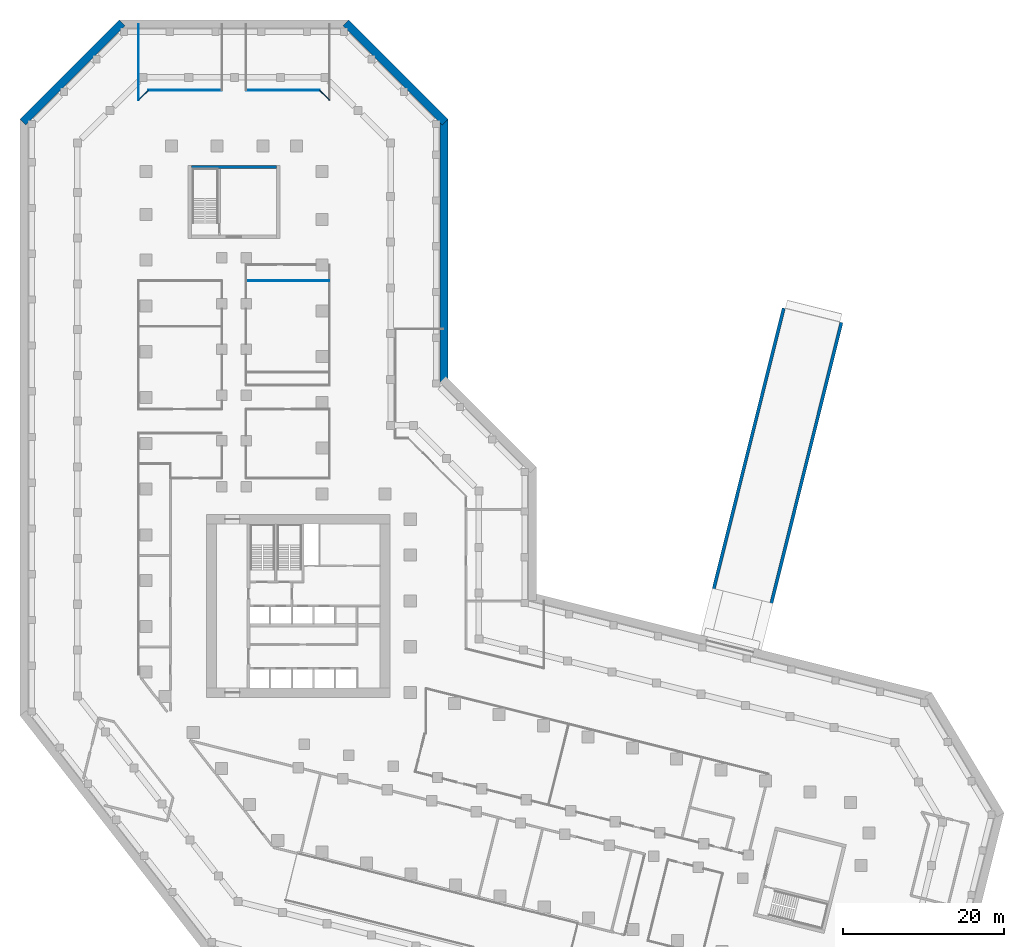
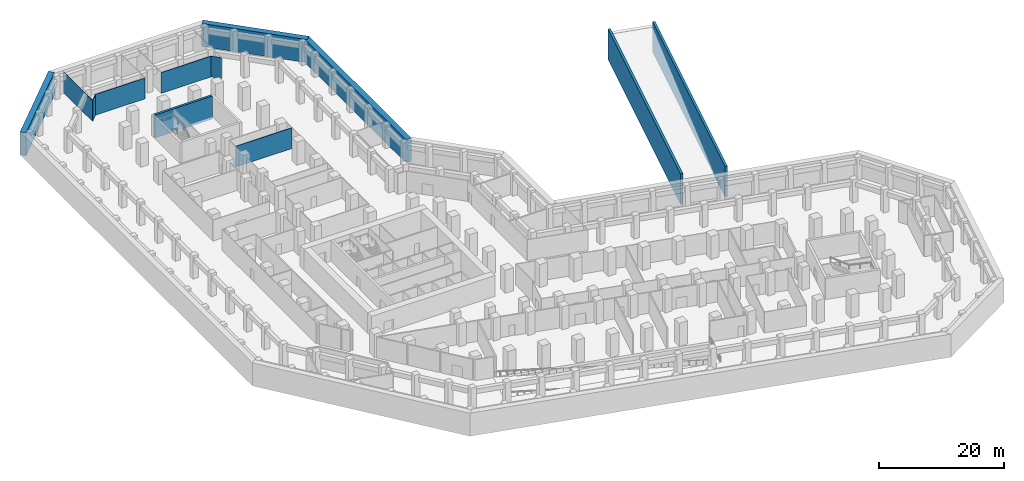
# One storey, part 11 of 14: 12 walls.
"""IFC4 building model written with IfcOpenShell, lengths in metres."""

from ifc_helpers import new_model, si_unit, direction, frame, frame_2d, origin, place, context, subcontext, project, spatial, rectangle, extrude, material, layer, layer_set, type_object, element, save


model = new_model("IFC4")

# Units and contexts
model_context = context("Model", 3, precision=1e-05, world=origin(), true_north=direction((0.0, 1.0)))
body_context = subcontext(model_context, "Body", "Model", "MODEL_VIEW")
ifc_project = project(units=[si_unit("LENGTHUNIT", "METRE"), si_unit("AREAUNIT", "SQUARE_METRE"), si_unit("VOLUMEUNIT", "CUBIC_METRE"), si_unit("PLANEANGLEUNIT", "RADIAN"), si_unit("MASSUNIT", "GRAM", prefix="KILO")], contexts=[model_context])

# Site, building, storey
site_placement = place(None, origin())
site = spatial("IfcSite", under=ifc_project, at=site_placement, CompositionType="ELEMENT")
building_placement = place(site_placement, origin())
building = spatial("IfcBuilding", under=site, at=building_placement, Name="Meshkara Civic Tower", CompositionType="ELEMENT")
storey_placement = place(building_placement, frame((0.0, 0.0, -4.5)))
storey = spatial("IfcBuildingStorey", under=building, at=storey_placement, Name="B1", CompositionType="ELEMENT", Elevation=-4.5)

# Walls
ifc_material_1 = material(Name="Corridor wall 100")
ifc_layer_1 = layer(ifc_material_1, 0.10009765625)
ifc_layer_set_1 = layer_set([ifc_layer_1], Name="Corridor wall 100")
wall_type_1 = type_object("IfcWallType", Name="Corridor wall 100", PredefinedType="PARTITIONING", material=ifc_layer_set_1)
wall_1_placement = place(storey_placement, frame((-0.5, 88.491943359375, 0.0), z_axis=(0.0, 0.0, 1.0), x_axis=(0.0, 1.0, 0.0)))
element("IfcWall", 1, at=wall_1_placement, inside=storey, type_object=wall_type_1, Name="B1-R008", PredefinedType="PARTITIONING", context=body_context, shape_type="SweptSolid", body=[
    extrude(rectangle(XDim=9.41796875, YDim=0.10009765625, at=frame_2d((4.708984375, 0.0))), origin(), (0.0, 0.0, 1.0), 4.050048828125),
])
wall_2_placement = place(storey_placement, frame((0.72802734375, 89.719970703125, 0.0), z_axis=(0.0, 0.0, 1.0), x_axis=(-0.707106781187, -0.707106781187, 0.0)))
element("IfcWall", 2, at=wall_2_placement, inside=storey, type_object=wall_type_1, Name="B1-R009", PredefinedType="PARTITIONING", context=body_context, shape_type="SweptSolid", body=[
    extrude(rectangle(XDim=1.736572265625, YDim=0.10009765625, at=frame_2d((0.8681640625, 0.0))), origin(), (0.0, 0.0, 1.0), 4.050048828125),
])
wall_3_placement = place(storey_placement, frame((9.89990234375, 89.719970703125, 0.0), z_axis=(0.0, 0.0, 1.0), x_axis=(-1.0, 0.0, 0.0)))
element("IfcWall", 3, at=wall_3_placement, inside=storey, type_object=wall_type_1, Name="B1-R025", PredefinedType="PARTITIONING", context=body_context, shape_type="SweptSolid", body=[
    extrude(rectangle(XDim=9.171875, YDim=0.10009765625, at=frame_2d((4.5859375, 0.0))), origin(), (0.0, 0.0, 1.0), 4.050048828125),
])
wall_4_placement = place(storey_placement, frame((22.072021484375, 89.719970703125, 0.0), z_axis=(0.0, 0.0, 1.0), x_axis=(-1.0, 0.0, 0.0)))
element("IfcWall", 4, at=wall_4_placement, inside=storey, type_object=wall_type_1, Name="B1-R039", PredefinedType="PARTITIONING", context=body_context, shape_type="SweptSolid", body=[
    extrude(rectangle(XDim=9.172119140625, YDim=0.10009765625, at=frame_2d((4.5859375, 0.0))), origin(), (0.0, 0.0, 1.0), 4.050048828125),
])
wall_5_placement = place(storey_placement, frame((23.300048828125, 88.491943359375, 0.0), z_axis=(0.0, 0.0, 1.0), x_axis=(-0.707106781187, 0.707106781187, 0.0)))
element("IfcWall", 5, at=wall_5_placement, inside=storey, type_object=wall_type_1, Name="B1-R044", PredefinedType="PARTITIONING", context=body_context, shape_type="SweptSolid", body=[
    extrude(rectangle(XDim=1.736572265625, YDim=0.10009765625, at=frame_2d((0.8681640625, 0.0))), origin(), (0.0, 0.0, 1.0), 4.050048828125),
])
ifc_material_2 = material(Name="Concrete C50", Category="concrete")
ifc_layer_2 = layer(ifc_material_2, 1.0)
ifc_layer_set_2 = layer_set([ifc_layer_2], Name="Diaphragm wall 1000 C50")
wall_type_2 = type_object("IfcWallType", Name="Diaphragm wall 1000 C50", PredefinedType="SOLIDWALL", material=ifc_layer_set_2)
wall_6_placement = place(storey_placement, frame((37.550048828125, 86.1171875, 0.0), z_axis=(0.0, 0.0, 1.0), x_axis=(0.0, -1.0, 0.0)))
element("IfcWall", 6, at=wall_6_placement, inside=storey, type_object=wall_type_2, Name="Basement perimeter wall", PredefinedType="SOLIDWALL", context=body_context, shape_type="SweptSolid", body=[
    extrude(rectangle(XDim=32.734130859375, YDim=1.0, at=frame_2d((16.3671875, 0.0))), origin(), (0.0, 0.0, 1.0), 4.5),
])
wall_7_placement = place(storey_placement, frame((-14.896484375, 85.763671875, 0.0), z_axis=(0.0, 0.0, 1.0), x_axis=(0.707106781187, 0.707106781187, 0.0)))
element("IfcWall", 7, at=wall_7_placement, inside=storey, type_object=wall_type_2, Name="Basement perimeter wall", PredefinedType="SOLIDWALL", context=body_context, shape_type="SweptSolid", body=[
    extrude(rectangle(XDim=17.469482421875, YDim=1.0, at=frame_2d((8.73486328125, 0.0))), origin(), (0.0, 0.0, 1.0), 4.5),
])
wall_8_placement = place(storey_placement, frame((25.34375, 98.116455078125, 0.0), z_axis=(0.0, 0.0, 1.0), x_axis=(0.707099793448, -0.707113768857, 0.0)))
element("IfcWall", 8, at=wall_8_placement, inside=storey, type_object=wall_type_2, Name="Basement perimeter wall", PredefinedType="SOLIDWALL", context=body_context, shape_type="SweptSolid", body=[
    extrude(rectangle(XDim=17.46923828125, YDim=1.0, at=frame_2d((8.734619140625, 0.0))), origin(), (0.0, 0.0, 1.0), 4.5),
])
ifc_material_3 = material(Name="Concrete C80", Category="concrete")
ifc_layer_3 = layer(ifc_material_3, 0.39990234375)
ifc_layer_set_3 = layer_set([ifc_layer_3], Name="End core ring wall 400 C80")
wall_type_3 = type_object("IfcWallType", Name="End core ring wall 400 C80", PredefinedType="SHEAR", material=ifc_layer_set_3)
wall_9_placement = place(storey_placement, frame((6.10009765625, 80.169921875, -0.449951171875), z_axis=(0.0, 0.0, 1.0), x_axis=(1.0, 0.0, 0.0)))
element("IfcWall", 9, at=wall_9_placement, inside=storey, type_object=wall_type_3, Name="B1-C028", PredefinedType="SHEAR", context=body_context, shape_type="SweptSolid", body=[
    extrude(rectangle(XDim=10.599853515625, YDim=0.39990234375, at=frame_2d((5.2998046875, 0.0))), origin(), (0.0, 0.0, 1.0), 4.5),
])
ifc_material_4 = material(Name="Partition 100")
ifc_layer_4 = layer(ifc_material_4, 0.10009765625)
ifc_layer_set_4 = layer_set([ifc_layer_4], Name="Partition 100")
wall_type_4 = type_object("IfcWallType", Name="Partition 100", PredefinedType="PARTITIONING", material=ifc_layer_set_4)
wall_10_placement = place(storey_placement, frame((23.25, 66.0, 0.0), z_axis=(0.0, 0.0, 1.0), x_axis=(-1.0, 0.0, 0.0)))
element("IfcWall", 10, at=wall_10_placement, inside=storey, type_object=wall_type_4, Name="B1-R093", PredefinedType="PARTITIONING", context=body_context, shape_type="SweptSolid", body=[
    extrude(rectangle(XDim=10.300048828125, YDim=0.10009765625, at=frame_2d((5.14990234375, 0.0))), origin(), (0.0, 0.0, 1.0), 4.050048828125),
])
ifc_material_5 = material(Name="Concrete C40", Category="concrete")
ifc_layer_5 = layer(ifc_material_5, 0.39990234375)
ifc_layer_set_5 = layer_set([ifc_layer_5], Name="RAMP RETAINING WALL 400")
wall_type_5 = type_object("IfcWallType", Name="RAMP RETAINING WALL 400", PredefinedType="SOLIDWALL", material=ifc_layer_set_5)
for number, where, z_axis, x_axis, name in (
    (11, (76.883056640625, 20.0458984375, -0.39990234375), (0.0, 0.0, 1.0), (0.241926932865, 0.970294470331, 0.0), "Ramp retaining wall"),
    (12, (69.702880859375, 21.8359375, -0.39990234375), (0.0, 0.0, 1.0), (0.241933770084, 0.970292765557, 0.0), "Ramp retaining wall"),
):
    element("IfcWall", number, at=place(storey_placement, frame(where, z_axis=z_axis, x_axis=x_axis)), inside=storey, type_object=wall_type_5, Name=name, PredefinedType="SOLIDWALL", context=body_context, shape_type="SweptSolid", body=[
        extrude(rectangle(XDim=41.999755859375, YDim=0.39990234375, at=frame_2d((21.0, 0.0))), origin(), (0.0, 0.0, 1.0), 6.0),
    ])

save(model, "model.ifc")
